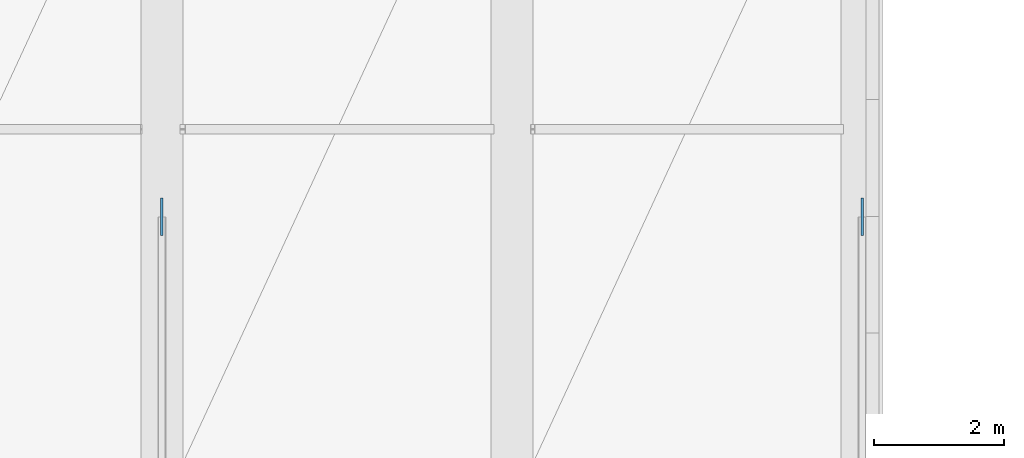
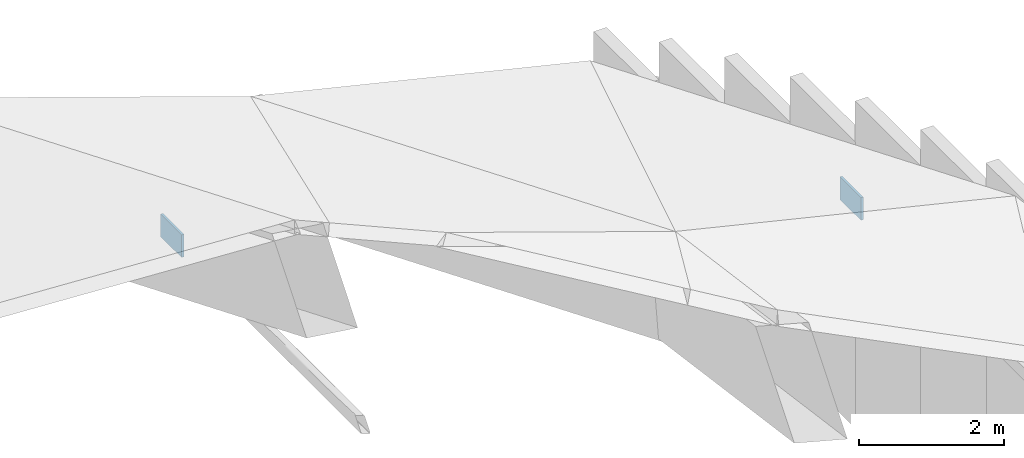
# One storey, part 14 of 22: 2 plates.
"""IFC4 building model written with IfcOpenShell, lengths in metres."""

from ifc_helpers import new_model, si_unit, direction, frame, origin, origin_2d, place, context, subcontext, project, spatial, rectangle, extrude, material, layer, layer_set, type_object, element, save


model = new_model("IFC4")

# Units and contexts
model_context = context("Model", 3, precision=1e-05, world=origin(), true_north=direction((0.0, 1.0)))
body_context = subcontext(model_context, "Body", "Model", "MODEL_VIEW")
ifc_project = project(units=[si_unit("LENGTHUNIT", "METRE"), si_unit("AREAUNIT", "SQUARE_METRE"), si_unit("VOLUMEUNIT", "CUBIC_METRE"), si_unit("PLANEANGLEUNIT", "RADIAN"), si_unit("MASSUNIT", "GRAM", prefix="KILO")], contexts=[model_context])

# Site, building, storey
site_placement = place(None, origin())
site = spatial("IfcSite", under=ifc_project, at=site_placement, CompositionType="ELEMENT")
building_placement = place(site_placement, origin())
building = spatial("IfcBuilding", under=site, at=building_placement, Name="Lusvemor Sports Hall", CompositionType="ELEMENT")
storey_placement = place(building_placement, frame((0.0, 0.0, 23.39990234375)))
storey = spatial("IfcBuildingStorey", under=building, at=storey_placement, Name="Roof", CompositionType="ELEMENT", Elevation=23.39990234375)

# Plates
ifc_material = material(Name="Steel S355", Category="steel")
ifc_layer = layer(ifc_material, 0.0400390625)
ifc_layer_set = layer_set([ifc_layer], Name="Steel S355")
plate_type = type_object("IfcPlateType", Name="GUSSET_ARCH_A", PredefinedType="USERDEFINED", material=ifc_layer_set)
for number, where, z_axis, x_axis, name in (
    (1, (64.800048828125, 39.60009765625, -5.941650390625), (0.0, 0.0, 1.0), (1.0, 0.0, 0.0), "Arch Springing Gusset S12-N"),
    (2, (75.60009765625, 39.60009765625, -9.09716796875), (0.0, 0.0, 1.0), (1.0, 0.0, 0.0), "Arch Springing Gusset S14-N"),
):
    element("IfcPlate", number, at=place(storey_placement, frame(where, z_axis=z_axis, x_axis=x_axis)), inside=storey, type_object=plate_type, Name=name, ObjectType="GUSSET_PLATE", PredefinedType="USERDEFINED", context=body_context, shape_type="SweptSolid", body=[
        extrude(rectangle(XDim=0.0400390625, YDim=0.580078125, at=origin_2d()), origin(), (0.0, 0.0, 1.0), 0.3798828125),
    ])

save(model, "model.ifc")
